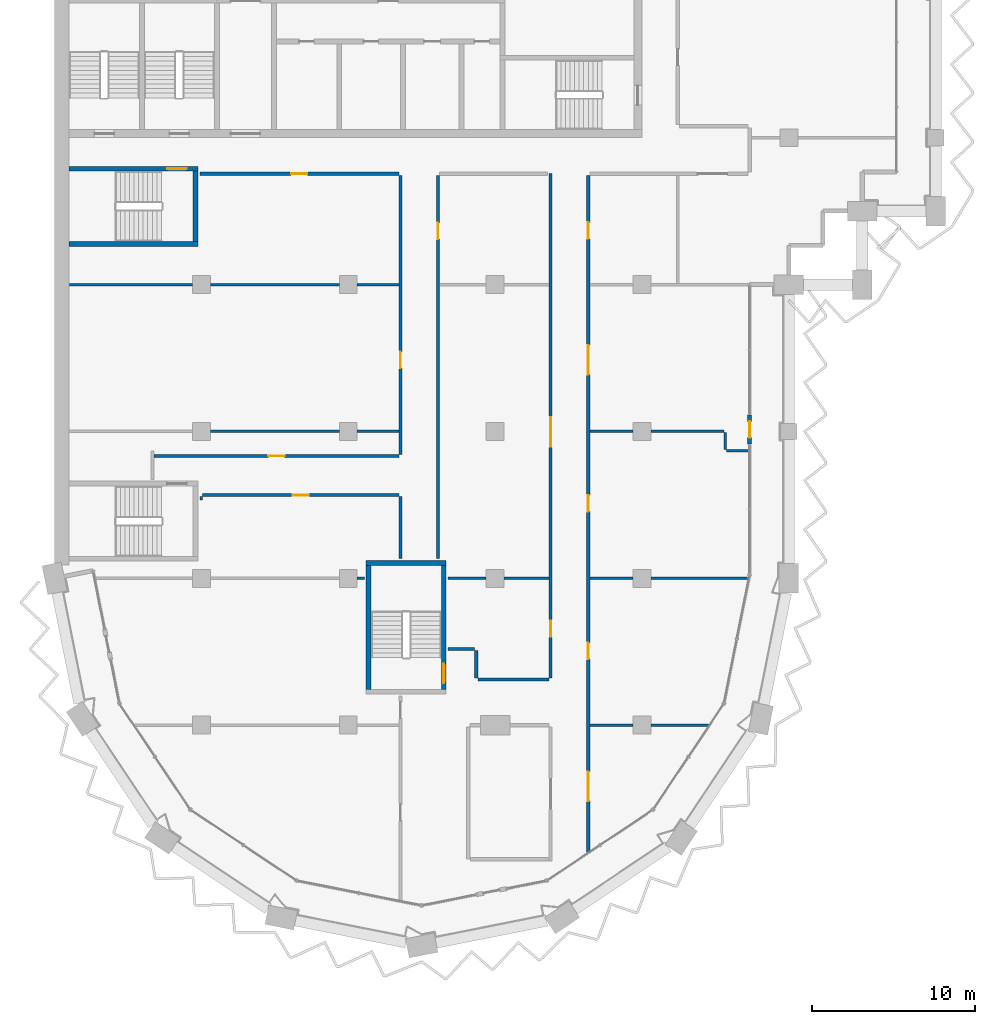
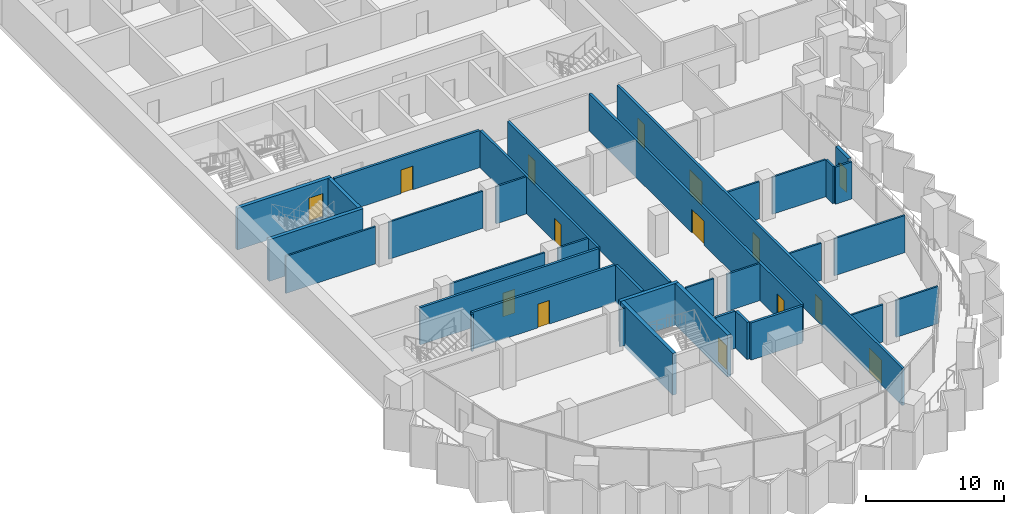
# One storey, part 8 of 17: 35 walls, 15 doors, 15 openings.
"""IFC4 building model written with IfcOpenShell, lengths in metres."""

import ifcopenshell
import ifcopenshell.guid

model = None  # the IFC model being written
_history = None  # IfcOwnerHistory: only IFC2X3 demands one
_inside = {}  # id of a spatial element -> (the spatial element, [elements in it])
_under = {}  # id of a project, library or spatial element -> (it, [spatial elements below it])
_declared = {}  # id of a project -> (the project, [libraries it declares])
_typed = {}  # id of a type object -> (the type object, [elements of that type])
_made_of = {}  # id of a material, layer set ... -> (it, [elements and type objects made of it])


def new_model(schema):
    """Start an empty IFC model of exactly this schema.

    Asked for "IFC4X3", IfcOpenShell would pick the latest addendum, in which some entities
    have other attributes; the version numbers below select the first issue.
    IFC2X3 requires an IfcOwnerHistory on every rooted entity: one is made here for all.
    """
    global model, _history
    if schema == "IFC4X3":
        model = ifcopenshell.file(schema_version=(4, 3, 0, 0))
    else:
        model = ifcopenshell.file(schema=schema)
    _inside.clear()
    _under.clear()
    _declared.clear()
    _typed.clear()
    _made_of.clear()
    _history = None
    if model.schema == "IFC2X3":
        org = make("IfcOrganization", Name="unknown")
        user = make(
            "IfcPersonAndOrganization",
            ThePerson=make("IfcPerson", FamilyName="unknown"),
            TheOrganization=org,
        )
        app = make(
            "IfcApplication",
            ApplicationDeveloper=org,
            Version="unknown",
            ApplicationFullName="unknown",
            ApplicationIdentifier="unknown",
        )
        _history = make(
            "IfcOwnerHistory",
            OwningUser=user,
            OwningApplication=app,
            ChangeAction="ADDED",
            CreationDate=0,
        )
    return model


def make(cls, **values):
    """One entity of the class cls with the attributes given. An attribute that is None is left unset."""
    return model.create_entity(
        cls, **{name: value for name, value in values.items() if value is not None}
    )


def rooted(cls, **values):
    """An entity with a GlobalId (a new one), such as an element, a storey or a relation."""
    return make(cls, GlobalId=ifcopenshell.guid.new(), OwnerHistory=_history, **values)


def si_unit(unit_type, name, prefix=None):
    """IfcSIUnit, for example si_unit("LENGTHUNIT", "METRE", prefix="MILLI")."""
    return make("IfcSIUnit", UnitType=unit_type, Prefix=prefix, Name=name)


def assignment(units):
    """IfcUnitAssignment: the units of a project."""
    return None if units is None else make("IfcUnitAssignment", Units=units)


def point(xyz):
    """IfcCartesianPoint."""
    return None if xyz is None else make("IfcCartesianPoint", Coordinates=xyz)


def direction(xyz):
    """IfcDirection."""
    return None if xyz is None else make("IfcDirection", DirectionRatios=xyz)


def frame(location, z_axis=None, x_axis=None):
    """IfcAxis2Placement3D, a coordinate frame: its origin and axes. An axis left out is left unset."""
    return make(
        "IfcAxis2Placement3D",
        Location=point(location),
        Axis=direction(z_axis),
        RefDirection=direction(x_axis),
    )


def frame_2d(location, x_axis=None):
    """IfcAxis2Placement2D, a coordinate frame in the plane: its origin and x axis."""
    return make(
        "IfcAxis2Placement2D", Location=point(location), RefDirection=direction(x_axis)
    )


def origin():
    """The frame at (0, 0, 0) with its axes left unset."""
    return frame((0.0, 0.0, 0.0))


def place(relative_to, where):
    """IfcLocalPlacement: puts the frame where relative to a parent placement (None: the world)."""
    return make(
        "IfcLocalPlacement", PlacementRelTo=relative_to, RelativePlacement=where
    )


def context(
    kind, dimensions, precision=None, world=None, true_north=None, identifier=None
):
    """IfcGeometricRepresentationContext, for example the 3D "Model" context."""
    return make(
        "IfcGeometricRepresentationContext",
        ContextIdentifier=identifier,
        ContextType=kind,
        CoordinateSpaceDimension=dimensions,
        Precision=precision,
        WorldCoordinateSystem=world,
        TrueNorth=true_north,
    )


def subcontext(parent, identifier, kind, view, scale=None):
    """IfcGeometricRepresentationSubContext, for example "Body" below "Model"."""
    return make(
        "IfcGeometricRepresentationSubContext",
        ContextIdentifier=identifier,
        ContextType=kind,
        ParentContext=parent,
        TargetScale=scale,
        TargetView=view,
    )


def project(units=None, contexts=None):
    """IfcProject with its units and contexts."""
    return rooted(
        "IfcProject",
        Name="project",
        RepresentationContexts=contexts,
        UnitsInContext=assignment(units),
    )


def spatial(cls, under=None, at=None, **own):
    """A site, building, storey or space (cls), placed at a placement, below another one or the project."""
    s = rooted(cls, ObjectPlacement=at, **own)
    if under is not None:
        _under.setdefault(under.id(), (under, []))[1].append(s)
    return s


def profile(cls, at=None, kind="AREA", **sizes):
    """A parametric profile (cls). Its sizes go by their IFC names, for example OverallWidth=200.0."""
    return make(cls, ProfileType=kind, Position=at, **sizes)


def rectangle(**sizes):
    """IfcRectangleProfileDef."""
    return profile("IfcRectangleProfileDef", **sizes)


def extrude(swept, where, along, depth):
    """IfcExtrudedAreaSolid: the profile swept, set in the frame where, extruded along a direction by depth."""
    return make(
        "IfcExtrudedAreaSolid",
        SweptArea=swept,
        Position=where,
        ExtrudedDirection=direction(along),
        Depth=depth,
    )


def shape(context_of_items, identifier, shape_type, items):
    """IfcShapeRepresentation: the items that make up one representation, for example the "Body"."""
    return make(
        "IfcShapeRepresentation",
        ContextOfItems=context_of_items,
        RepresentationIdentifier=identifier,
        RepresentationType=shape_type,
        Items=items,
    )


def material(Name=None, Category=None):
    """IfcMaterial."""
    return make("IfcMaterial", Name=Name, Category=Category)


def layer(
    of_material, thickness, ventilated=None, Name=None, Category=None, Priority=None
):
    """IfcMaterialLayer: one layer of a wall or slab, of a material (None: an air gap)."""
    return make(
        "IfcMaterialLayer",
        Material=of_material,
        LayerThickness=thickness,
        IsVentilated=ventilated,
        Name=Name,
        Category=Category,
        Priority=Priority,
    )


def layer_set(layers, Name=None):
    """IfcMaterialLayerSet."""
    return make("IfcMaterialLayerSet", MaterialLayers=layers, LayerSetName=Name)


def made_of(thing, what):
    """Note that an element or type object is made of a material, layer set ...; save() writes the relation."""
    if what is not None:
        _made_of.setdefault(what.id(), (what, []))[1].append(thing)
    return thing


def type_object(cls, material=None, **own):
    """A type object (cls), such as IfcWallType, which elements share."""
    return made_of(rooted(cls, **own), material)


def element(
    cls,
    number,
    at=None,
    inside=None,
    cuts=None,
    type_object=None,
    material=None,
    context=None,
    identifier="Body",
    shape_type=None,
    held_by="IfcProductDefinitionShape",
    body=None,
    shapes=None,
    **own,
):
    """One element of the class cls, such as IfcWall. Its Tag is "e" and its number.

    at: its placement. inside: the storey or other place that contains it. cuts: it is an
    opening in that element (IfcRelVoidsElement). A single representation is given by context,
    identifier, shape_type and body (its items); several are given by shapes. held_by: the class
    of the entity that holds the representations. save() writes the other relations.
    """
    e = rooted(cls, Tag="e%d" % number, ObjectPlacement=at, **own)
    if body is not None:
        shapes = [shape(context, identifier, shape_type, body)]
    if shapes is not None:
        e.Representation = make(held_by, Representations=shapes)
    if inside is not None:
        _inside.setdefault(inside.id(), (inside, []))[1].append(e)
    if cuts is not None:
        rooted(
            "IfcRelVoidsElement", RelatingBuildingElement=cuts, RelatedOpeningElement=e
        )
    if type_object is not None:
        _typed.setdefault(type_object.id(), (type_object, []))[1].append(e)
    return made_of(e, material)


def fill(opening, filler):
    """IfcRelFillsElement: the door or window that sits in an opening."""
    return rooted(
        "IfcRelFillsElement",
        RelatingOpeningElement=opening,
        RelatedBuildingElement=filler,
    )


def aggregate(whole, parts):
    """IfcRelAggregates: a whole, such as a stair, and the parts it consists of."""
    return rooted("IfcRelAggregates", RelatingObject=whole, RelatedObjects=parts)


def save(model, path):
    """Write the relations noted so far, then the file.

    IfcRelAggregates (storeys below a building ...), IfcRelContainedInSpatialStructure (elements
    in a storey), IfcRelDefinesByType, IfcRelAssociatesMaterial and IfcRelDeclares: one each for
    every whole, place, type object, material and project.
    """
    for whole, parts in _under.values():
        aggregate(whole, parts)
    for where, things in _inside.values():
        rooted(
            "IfcRelContainedInSpatialStructure",
            RelatedElements=things,
            RelatingStructure=where,
        )
    for kind, things in _typed.values():
        rooted("IfcRelDefinesByType", RelatedObjects=things, RelatingType=kind)
    for what, things in _made_of.values():
        rooted("IfcRelAssociatesMaterial", RelatedObjects=things, RelatingMaterial=what)
    for by, libraries in _declared.values():
        rooted("IfcRelDeclares", RelatingContext=by, RelatedDefinitions=libraries)
    model.write(path)


model = new_model("IFC4")

# Units and contexts
model_context = context("Model", 3, precision=1e-05, world=origin(), true_north=direction((0.0, 1.0)))
body_context = subcontext(model_context, "Body", "Model", "MODEL_VIEW")
ifc_project = project(units=[si_unit("LENGTHUNIT", "METRE"), si_unit("AREAUNIT", "SQUARE_METRE"), si_unit("VOLUMEUNIT", "CUBIC_METRE"), si_unit("PLANEANGLEUNIT", "RADIAN"), si_unit("MASSUNIT", "GRAM", prefix="KILO")], contexts=[model_context])

# Site, building, storey
site_placement = place(None, origin())
site = spatial("IfcSite", under=ifc_project, at=site_placement, CompositionType="ELEMENT")
building_placement = place(site_placement, origin())
building = spatial("IfcBuilding", under=site, at=building_placement, Name="Hunhe Ridgeline Campus", CompositionType="ELEMENT")
storey_placement = place(building_placement, frame((0.0, 0.0, 212.39990234375)))
storey = spatial("IfcBuildingStorey", under=building, at=storey_placement, Name="L54", CompositionType="ELEMENT", Elevation=212.39990234375)

# Walls
ifc_material_1 = material(Name="Gypsum board partition")
ifc_layer_1 = layer(ifc_material_1, 0.199951171875)
ifc_layer_set_1 = layer_set([ifc_layer_1], Name="Corridor partition 200 gypsum board on steel studs")
wall_type_1 = type_object("IfcWallType", Name="Corridor partition 200 gypsum board on steel studs", PredefinedType="PARTITIONING", material=ifc_layer_set_1)
wall_1_placement = place(storey_placement, frame((25.949951171875, 29.799072265625, 0.0), z_axis=(0.0, 0.0, 1.0), x_axis=(1.0, 0.0, 0.0)))
element("IfcWall", 1, at=wall_1_placement, inside=storey, type_object=wall_type_1, Name="F-L54-wall-009", PredefinedType="PARTITIONING", context=body_context, shape_type="SweptSolid", body=[
    extrude(rectangle(XDim=4.35009765625, YDim=0.199951171875, at=frame_2d((2.175048828125, 0.0))), origin(), (0.0, 0.0, 1.0), 3.300048828125),
])
wall_2_placement = place(storey_placement, frame((24.10400390625, 31.675048828125, 0.0), z_axis=(0.0, 0.0, 1.0), x_axis=(1.0, 0.0, 0.0)))
element("IfcWall", 2, at=wall_2_placement, inside=storey, type_object=wall_type_1, Name="F-L54-wall-010", PredefinedType="PARTITIONING", context=body_context, shape_type="SweptSolid", body=[
    extrude(rectangle(XDim=1.64599609375, YDim=0.199951171875, at=frame_2d((0.822998046875, 0.0))), origin(), (0.0, 0.0, 1.0), 3.300048828125),
])

# Wall, opening, door
wall_3_placement = place(storey_placement, frame((21.10009765625, 41.10009765625, 0.0), z_axis=(0.0, 0.0, 1.0), x_axis=(-1.0, 0.0, 0.0)))
wall_3 = element("IfcWall", 3, at=wall_3_placement, inside=storey, type_object=wall_type_1, Name="F-L54-wall-018", PredefinedType="PARTITIONING", context=body_context, shape_type="SweptSolid", body=[
    extrude(rectangle(XDim=12.025146484375, YDim=0.199951171875, at=frame_2d((6.0126953125, 0.0))), origin(), (0.0, 0.0, 1.0), 3.300048828125),
])
opening_1_placement = place(wall_3_placement, frame((5.512451171875, 0.0, 0.0)))
opening_1 = element("IfcOpeningElement", 4, at=opening_1_placement, cuts=wall_3, Name="Opening RD1-008", PredefinedType="OPENING", context=body_context, shape_type="SweptSolid", body=[
    extrude(rectangle(XDim=1.0, YDim=2.10009765625, at=frame_2d((0.5, 1.050048828125))), frame((0.0, 0.10009765625, 0.0), z_axis=(0.0, -1.0, 0.0), x_axis=(1.0, 0.0, 0.0)), (0.0, 0.0, 1.0), 0.199951171875),
])
ifc_material_2 = material(Name="Timber door leaf", Category="wood")
door_type_1 = type_object("IfcDoorType", Name="Single fire door 1000x2100 timber FD60", OperationType="NOTDEFINED", PredefinedType="DOOR", material=ifc_material_2)
door_1_placement = place(opening_1_placement, origin())
door_1 = element("IfcDoor", 5, at=door_1_placement, inside=storey, type_object=door_type_1, Name="F-L54-door-008", OperationType="SINGLE_SWING_LEFT", OverallHeight=2.10009765625, OverallWidth=1.0, PredefinedType="DOOR", context=body_context, shape_type="SweptSolid", body=[
    extrude(rectangle(XDim=1.0, YDim=2.10009765625, at=frame_2d((0.5, 1.050048828125))), frame((0.0, 0.02490234375, 0.0), z_axis=(0.0, -1.0, 0.0), x_axis=(1.0, 0.0, 0.0)), (0.0, 0.0, 1.0), 0.050048828125),
])
fill(opening_1, door_1)

wall_4_placement = place(storey_placement, frame((6.10009765625, 43.5, 0.0), z_axis=(0.0, 0.0, 1.0), x_axis=(1.0, 0.0, 0.0)))
wall_4 = element("IfcWall", 6, at=wall_4_placement, inside=storey, type_object=wall_type_1, Name="F-L54-wall-019", PredefinedType="PARTITIONING", context=body_context, shape_type="SweptSolid", body=[
    extrude(rectangle(XDim=15.0, YDim=0.199951171875, at=frame_2d((7.5, 0.0))), origin(), (0.0, 0.0, 1.0), 3.300048828125),
])
opening_2_placement = place(wall_4_placement, frame((7.0, 0.0, 0.0)))
opening_2 = element("IfcOpeningElement", 7, at=opening_2_placement, cuts=wall_4, Name="Opening RD1-009", PredefinedType="OPENING", context=body_context, shape_type="SweptSolid", body=[
    extrude(rectangle(XDim=1.0, YDim=2.10009765625, at=frame_2d((0.5, 1.050048828125))), frame((0.0, 0.10009765625, 0.0), z_axis=(0.0, -1.0, 0.0), x_axis=(1.0, 0.0, 0.0)), (0.0, 0.0, 1.0), 0.199951171875),
])
door_2_placement = place(opening_2_placement, origin())
door_2 = element("IfcDoor", 8, at=door_2_placement, inside=storey, type_object=door_type_1, Name="F-L54-door-009", OperationType="SINGLE_SWING_RIGHT", OverallHeight=2.10009765625, OverallWidth=1.0, PredefinedType="DOOR", context=body_context, shape_type="SweptSolid", body=[
    extrude(rectangle(XDim=1.0, YDim=2.10009765625, at=frame_2d((0.5, 1.050048828125))), frame((0.0, 0.02490234375, 0.0), z_axis=(0.0, -1.0, 0.0), x_axis=(1.0, 0.0, 0.0)), (0.0, 0.0, 1.0), 0.050048828125),
])
fill(opening_2, door_2)

wall_5_placement = place(storey_placement, frame((21.10009765625, 60.800048828125, 0.0), z_axis=(0.0, 0.0, 1.0), x_axis=(-1.0, 0.0, 0.0)))
wall_5 = element("IfcWall", 9, at=wall_5_placement, inside=storey, type_object=wall_type_1, Name="F-L54-wall-033", PredefinedType="PARTITIONING", context=body_context, shape_type="SweptSolid", body=[
    extrude(rectangle(XDim=12.196044921875, YDim=0.199951171875, at=frame_2d((6.09814453125, 0.0))), origin(), (0.0, 0.0, 1.0), 3.300048828125),
])
opening_3_placement = place(wall_5_placement, frame((5.597900390625, 0.0, 0.0)))
opening_3 = element("IfcOpeningElement", 10, at=opening_3_placement, cuts=wall_5, Name="Opening RD1-015", PredefinedType="OPENING", context=body_context, shape_type="SweptSolid", body=[
    extrude(rectangle(XDim=1.0, YDim=2.10009765625, at=frame_2d((0.5, 1.050048828125))), frame((0.0, 0.10009765625, 0.0), z_axis=(0.0, -1.0, 0.0), x_axis=(1.0, 0.0, 0.0)), (0.0, 0.0, 1.0), 0.199951171875),
])
door_3_placement = place(opening_3_placement, origin())
door_3 = element("IfcDoor", 11, at=door_3_placement, inside=storey, type_object=door_type_1, Name="F-L54-door-015", OperationType="SINGLE_SWING_LEFT", OverallHeight=2.10009765625, OverallWidth=1.0, PredefinedType="DOOR", context=body_context, shape_type="SweptSolid", body=[
    extrude(rectangle(XDim=1.0, YDim=2.10009765625, at=frame_2d((0.5, 1.050048828125))), frame((0.0, 0.02490234375, 0.0), z_axis=(0.0, -1.0, 0.0), x_axis=(1.0, 0.0, 0.0)), (0.0, 0.0, 1.0), 0.050048828125),
])
fill(opening_3, door_3)

# Wall
wall_6_placement = place(storey_placement, frame((21.199951171875, 37.2041015625, 0.0), z_axis=(0.0, 0.0, 1.0), x_axis=(0.0, 1.0, 0.0)))
element("IfcWall", 12, at=wall_6_placement, inside=storey, type_object=wall_type_1, Name="F-L54-wall-048", PredefinedType="PARTITIONING", context=body_context, shape_type="SweptSolid", body=[
    extrude(rectangle(XDim=3.7958984375, YDim=0.199951171875, at=frame_2d((1.89794921875, 0.0))), origin(), (0.0, 0.0, 1.0), 3.300048828125),
])

# Wall, opening, door
wall_7_placement = place(storey_placement, frame((21.199951171875, 43.60009765625, 0.0), z_axis=(0.0, 0.0, 1.0), x_axis=(0.0, 1.0, 0.0)))
wall_7 = element("IfcWall", 13, at=wall_7_placement, inside=storey, type_object=wall_type_1, Name="F-L54-wall-049", PredefinedType="PARTITIONING", context=body_context, shape_type="SweptSolid", body=[
    extrude(rectangle(XDim=17.099853515625, YDim=0.199951171875, at=frame_2d((8.5498046875, 0.0))), origin(), (0.0, 0.0, 1.0), 3.300048828125),
])
opening_4_placement = place(wall_7_placement, frame((5.28369140625, 0.0, 0.0)))
opening_4 = element("IfcOpeningElement", 14, at=opening_4_placement, cuts=wall_7, Name="Opening RD1-011", PredefinedType="OPENING", context=body_context, shape_type="SweptSolid", body=[
    extrude(rectangle(XDim=1.0, YDim=2.10009765625, at=frame_2d((0.5, 1.050048828125))), frame((0.0, 0.10009765625, 0.0), z_axis=(0.0, -1.0, 0.0), x_axis=(1.0, 0.0, 0.0)), (0.0, 0.0, 1.0), 0.199951171875),
])
door_4_placement = place(opening_4_placement, origin())
door_4 = element("IfcDoor", 15, at=door_4_placement, inside=storey, type_object=door_type_1, Name="F-L54-door-011", OperationType="SINGLE_SWING_RIGHT", OverallHeight=2.10009765625, OverallWidth=1.0, PredefinedType="DOOR", context=body_context, shape_type="SweptSolid", body=[
    extrude(rectangle(XDim=1.0, YDim=2.10009765625, at=frame_2d((0.5, 1.050048828125))), frame((0.0, 0.02490234375, 0.0), z_axis=(0.0, -1.0, 0.0), x_axis=(1.0, 0.0, 0.0)), (0.0, 0.0, 1.0), 0.050048828125),
])
fill(opening_4, door_4)

wall_8_placement = place(storey_placement, frame((23.5, 60.699951171875, 0.0), z_axis=(0.0, 0.0, 1.0), x_axis=(0.0, -1.0, 0.0)))
wall_8 = element("IfcWall", 16, at=wall_8_placement, inside=storey, type_object=wall_type_1, Name="F-L54-wall-050", PredefinedType="PARTITIONING", context=body_context, shape_type="SweptSolid", body=[
    extrude(rectangle(XDim=23.495849609375, YDim=0.199951171875, at=frame_2d((11.748046875, 0.0))), origin(), (0.0, 0.0, 1.0), 3.300048828125),
])
opening_5_placement = place(wall_8_placement, frame((2.91064453125, 0.0, 0.0)))
opening_5 = element("IfcOpeningElement", 17, at=opening_5_placement, cuts=wall_8, Name="Opening RD1-013", PredefinedType="OPENING", context=body_context, shape_type="SweptSolid", body=[
    extrude(rectangle(XDim=1.0, YDim=2.10009765625, at=frame_2d((0.5, 1.050048828125))), frame((0.0, 0.10009765625, 0.0), z_axis=(0.0, -1.0, 0.0), x_axis=(1.0, 0.0, 0.0)), (0.0, 0.0, 1.0), 0.199951171875),
])
door_5_placement = place(opening_5_placement, origin())
door_5 = element("IfcDoor", 18, at=door_5_placement, inside=storey, type_object=door_type_1, Name="F-L54-door-013", OperationType="SINGLE_SWING_LEFT", OverallHeight=2.10009765625, OverallWidth=1.0, PredefinedType="DOOR", context=body_context, shape_type="SweptSolid", body=[
    extrude(rectangle(XDim=1.0, YDim=2.10009765625, at=frame_2d((0.5, 1.050048828125))), frame((0.0, 0.02490234375, 0.0), z_axis=(0.0, -1.0, 0.0), x_axis=(1.0, 0.0, 0.0)), (0.0, 0.0, 1.0), 0.050048828125),
])
fill(opening_5, door_5)

# Wall
wall_9_placement = place(storey_placement, frame((25.85009765625, 31.574951171875, 0.0), z_axis=(0.0, 0.0, 1.0), x_axis=(0.0, -1.0, 0.0)))
element("IfcWall", 19, at=wall_9_placement, inside=storey, type_object=wall_type_1, Name="F-L54-wall-052", PredefinedType="PARTITIONING", context=body_context, shape_type="SweptSolid", body=[
    extrude(rectangle(XDim=1.676025390625, YDim=0.199951171875, at=frame_2d((0.837890625, 0.0))), origin(), (0.0, 0.0, 1.0), 3.300048828125),
])

# Wall, openings, doors
wall_10_placement = place(storey_placement, frame((30.39990234375, 29.89892578125, 0.0), z_axis=(0.0, 0.0, 1.0), x_axis=(0.0, 1.0, 0.0)))
wall_10 = element("IfcWall", 20, at=wall_10_placement, inside=storey, type_object=wall_type_1, Name="F-L54-wall-054", PredefinedType="PARTITIONING", context=body_context, shape_type="SweptSolid", body=[
    extrude(rectangle(XDim=30.901123046875, YDim=0.199951171875, at=frame_2d((15.45068359375, 0.0))), origin(), (0.0, 0.0, 1.0), 3.300048828125),
])
opening_6_placement = place(wall_10_placement, frame((2.5146484375, 0.0, 0.0)))
opening_6 = element("IfcOpeningElement", 21, at=opening_6_placement, cuts=wall_10, Name="Opening RD1-006", PredefinedType="OPENING", context=body_context, shape_type="SweptSolid", body=[
    extrude(rectangle(XDim=1.0, YDim=2.10009765625, at=frame_2d((0.5, 1.050048828125))), frame((0.0, 0.10009765625, 0.0), z_axis=(0.0, -1.0, 0.0), x_axis=(1.0, 0.0, 0.0)), (0.0, 0.0, 1.0), 0.199951171875),
])
opening_7_placement = place(wall_10_placement, frame((14.173583984375, 0.0, 0.0)))
opening_7 = element("IfcOpeningElement", 22, at=opening_7_placement, cuts=wall_10, Name="Opening RD2-010", PredefinedType="OPENING", context=body_context, shape_type="SweptSolid", body=[
    extrude(rectangle(XDim=1.800048828125, YDim=2.10009765625, at=frame_2d((0.89990234375, 1.050048828125))), frame((0.0, 0.10009765625, 0.0), z_axis=(0.0, -1.0, 0.0), x_axis=(1.0, 0.0, 0.0)), (0.0, 0.0, 1.0), 0.199951171875),
])
door_type_2 = type_object("IfcDoorType", Name="Double fire door 1800x2100 timber FD60", OperationType="DOUBLE_DOOR_SINGLE_SWING", PredefinedType="DOOR", material=ifc_material_2)
door_6_placement = place(opening_7_placement, origin())
door_6 = element("IfcDoor", 23, at=door_6_placement, inside=storey, type_object=door_type_2, Name="F-L54-door-010", OperationType="DOUBLE_DOOR_SINGLE_SWING", OverallHeight=2.10009765625, OverallWidth=1.800048828125, PredefinedType="DOOR", context=body_context, shape_type="SweptSolid", body=[
    extrude(rectangle(XDim=1.800048828125, YDim=2.10009765625, at=frame_2d((0.89990234375, 1.050048828125))), frame((0.0, 0.02490234375, 0.0), z_axis=(0.0, -1.0, 0.0), x_axis=(1.0, 0.0, 0.0)), (0.0, 0.0, 1.0), 0.050048828125),
])
fill(opening_7, door_6)
door_7_placement = place(opening_6_placement, origin())
door_7 = element("IfcDoor", 24, at=door_7_placement, inside=storey, type_object=door_type_1, Name="F-L54-door-006", OperationType="SINGLE_SWING_RIGHT", OverallHeight=2.10009765625, OverallWidth=1.0, PredefinedType="DOOR", context=body_context, shape_type="SweptSolid", body=[
    extrude(rectangle(XDim=1.0, YDim=2.10009765625, at=frame_2d((0.5, 1.050048828125))), frame((0.0, 0.02490234375, 0.0), z_axis=(0.0, -1.0, 0.0), x_axis=(1.0, 0.0, 0.0)), (0.0, 0.0, 1.0), 0.050048828125),
])
fill(opening_6, door_7)

wall_11_placement = place(storey_placement, frame((32.699951171875, 60.699951171875, 0.0), z_axis=(0.0, 0.0, 1.0), x_axis=(0.0, -1.0, 0.0)))
wall_11 = element("IfcWall", 25, at=wall_11_placement, inside=storey, type_object=wall_type_1, Name="F-L54-wall-055", PredefinedType="PARTITIONING", context=body_context, shape_type="SweptSolid", body=[
    extrude(rectangle(XDim=41.472412109375, YDim=0.199951171875, at=frame_2d((20.736328125, 0.0))), origin(), (0.0, 0.0, 1.0), 3.300048828125),
])
opening_8_placement = place(wall_11_placement, frame((36.551025390625, 0.0, 0.0)))
opening_8 = element("IfcOpeningElement", 26, at=opening_8_placement, cuts=wall_11, Name="Opening RD2-003", PredefinedType="OPENING", context=body_context, shape_type="SweptSolid", body=[
    extrude(rectangle(XDim=1.800048828125, YDim=2.10009765625, at=frame_2d((0.89990234375, 1.050048828125))), frame((0.0, 0.10009765625, 0.0), z_axis=(0.0, -1.0, 0.0), x_axis=(1.0, 0.0, 0.0)), (0.0, 0.0, 1.0), 0.199951171875),
])
opening_9_placement = place(wall_11_placement, frame((28.656494140625, 0.0, 0.0)))
opening_9 = element("IfcOpeningElement", 27, at=opening_9_placement, cuts=wall_11, Name="Opening RD1-005", PredefinedType="OPENING", context=body_context, shape_type="SweptSolid", body=[
    extrude(rectangle(XDim=1.0, YDim=2.10009765625, at=frame_2d((0.5, 1.050048828125))), frame((0.0, 0.10009765625, 0.0), z_axis=(0.0, -1.0, 0.0), x_axis=(1.0, 0.0, 0.0)), (0.0, 0.0, 1.0), 0.199951171875),
])
opening_10_placement = place(wall_11_placement, frame((19.60791015625, 0.0, 0.0)))
opening_10 = element("IfcOpeningElement", 28, at=opening_10_placement, cuts=wall_11, Name="Opening RD1-007", PredefinedType="OPENING", context=body_context, shape_type="SweptSolid", body=[
    extrude(rectangle(XDim=1.0, YDim=2.10009765625, at=frame_2d((0.5, 1.050048828125))), frame((0.0, 0.10009765625, 0.0), z_axis=(0.0, -1.0, 0.0), x_axis=(1.0, 0.0, 0.0)), (0.0, 0.0, 1.0), 0.199951171875),
])
opening_11_placement = place(wall_11_placement, frame((10.41064453125, 0.0, 0.0)))
opening_11 = element("IfcOpeningElement", 29, at=opening_11_placement, cuts=wall_11, Name="Opening RD2-012", PredefinedType="OPENING", context=body_context, shape_type="SweptSolid", body=[
    extrude(rectangle(XDim=1.800048828125, YDim=2.10009765625, at=frame_2d((0.89990234375, 1.050048828125))), frame((0.0, 0.10009765625, 0.0), z_axis=(0.0, -1.0, 0.0), x_axis=(1.0, 0.0, 0.0)), (0.0, 0.0, 1.0), 0.199951171875),
])
opening_12_placement = place(wall_11_placement, frame((2.893310546875, 0.0, 0.0)))
opening_12 = element("IfcOpeningElement", 30, at=opening_12_placement, cuts=wall_11, Name="Opening RD1-014", PredefinedType="OPENING", context=body_context, shape_type="SweptSolid", body=[
    extrude(rectangle(XDim=1.0, YDim=2.10009765625, at=frame_2d((0.5, 1.050048828125))), frame((0.0, 0.10009765625, 0.0), z_axis=(0.0, -1.0, 0.0), x_axis=(1.0, 0.0, 0.0)), (0.0, 0.0, 1.0), 0.199951171875),
])
door_8_placement = place(opening_8_placement, origin())
door_8 = element("IfcDoor", 31, at=door_8_placement, inside=storey, type_object=door_type_2, Name="F-L54-door-003", OperationType="DOUBLE_DOOR_SINGLE_SWING", OverallHeight=2.10009765625, OverallWidth=1.800048828125, PredefinedType="DOOR", context=body_context, shape_type="SweptSolid", body=[
    extrude(rectangle(XDim=1.800048828125, YDim=2.10009765625, at=frame_2d((0.89990234375, 1.050048828125))), frame((0.0, 0.02490234375, 0.0), z_axis=(0.0, -1.0, 0.0), x_axis=(1.0, 0.0, 0.0)), (0.0, 0.0, 1.0), 0.050048828125),
])
fill(opening_8, door_8)
door_9_placement = place(opening_11_placement, origin())
door_9 = element("IfcDoor", 32, at=door_9_placement, inside=storey, type_object=door_type_2, Name="F-L54-door-012", OperationType="DOUBLE_DOOR_SINGLE_SWING", OverallHeight=2.10009765625, OverallWidth=1.800048828125, PredefinedType="DOOR", context=body_context, shape_type="SweptSolid", body=[
    extrude(rectangle(XDim=1.800048828125, YDim=2.10009765625, at=frame_2d((0.89990234375, 1.050048828125))), frame((0.0, 0.02490234375, 0.0), z_axis=(0.0, -1.0, 0.0), x_axis=(1.0, 0.0, 0.0)), (0.0, 0.0, 1.0), 0.050048828125),
])
fill(opening_11, door_9)
door_10_placement = place(opening_9_placement, origin())
door_10 = element("IfcDoor", 33, at=door_10_placement, inside=storey, type_object=door_type_1, Name="F-L54-door-005", OperationType="SINGLE_SWING_LEFT", OverallHeight=2.10009765625, OverallWidth=1.0, PredefinedType="DOOR", context=body_context, shape_type="SweptSolid", body=[
    extrude(rectangle(XDim=1.0, YDim=2.10009765625, at=frame_2d((0.5, 1.050048828125))), frame((0.0, 0.02490234375, 0.0), z_axis=(0.0, -1.0, 0.0), x_axis=(1.0, 0.0, 0.0)), (0.0, 0.0, 1.0), 0.050048828125),
])
fill(opening_9, door_10)
door_11_placement = place(opening_10_placement, origin())
door_11 = element("IfcDoor", 34, at=door_11_placement, inside=storey, type_object=door_type_1, Name="F-L54-door-007", OperationType="SINGLE_SWING_LEFT", OverallHeight=2.10009765625, OverallWidth=1.0, PredefinedType="DOOR", context=body_context, shape_type="SweptSolid", body=[
    extrude(rectangle(XDim=1.0, YDim=2.10009765625, at=frame_2d((0.5, 1.050048828125))), frame((0.0, 0.02490234375, 0.0), z_axis=(0.0, -1.0, 0.0), x_axis=(1.0, 0.0, 0.0)), (0.0, 0.0, 1.0), 0.050048828125),
])
fill(opening_10, door_11)
door_12_placement = place(opening_12_placement, origin())
door_12 = element("IfcDoor", 35, at=door_12_placement, inside=storey, type_object=door_type_1, Name="F-L54-door-014", OperationType="SINGLE_SWING_RIGHT", OverallHeight=2.10009765625, OverallWidth=1.0, PredefinedType="DOOR", context=body_context, shape_type="SweptSolid", body=[
    extrude(rectangle(XDim=1.0, YDim=2.10009765625, at=frame_2d((0.5, 1.050048828125))), frame((0.0, 0.02490234375, 0.0), z_axis=(0.0, -1.0, 0.0), x_axis=(1.0, 0.0, 0.0)), (0.0, 0.0, 1.0), 0.050048828125),
])
fill(opening_12, door_12)

# Wall, opening, door
ifc_material_3 = material(Name="Concrete C30", Category="concrete")
ifc_layer_2 = layer(ifc_material_3, 0.25)
ifc_layer_set_2 = layer_set([ifc_layer_2], Name="Loggia door pier wall 250 Concrete C30")
wall_type_2 = type_object("IfcWallType", Name="Loggia door pier wall 250 Concrete C30", PredefinedType="SOLIDWALL", material=ifc_layer_set_2)
wall_12_placement = place(storey_placement, frame((42.59912109375, 44.218505859375, 0.0), z_axis=(0.0, 0.0, 1.0), x_axis=(0.0, 1.0, 0.0)))
wall_12 = element("IfcWall", 36, at=wall_12_placement, inside=storey, type_object=wall_type_2, Name="Loggia door pier 3", PredefinedType="SOLIDWALL", context=body_context, shape_type="SweptSolid", body=[
    extrude(rectangle(XDim=1.800048828125, YDim=0.25, at=frame_2d((0.89990234375, 0.0))), origin(), (0.0, 0.0, 1.0), 3.300048828125),
])
opening_13_placement = place(wall_12_placement, frame((0.39990234375, 0.0, 0.0)))
opening_13 = element("IfcOpeningElement", 37, at=opening_13_placement, cuts=wall_12, Name="Opening BD405", PredefinedType="OPENING", context=body_context, shape_type="SweptSolid", body=[
    extrude(rectangle(XDim=1.0, YDim=2.10009765625, at=frame_2d((0.5, 1.050048828125))), frame((0.0, 0.125, 0.0), z_axis=(0.0, -1.0, 0.0), x_axis=(1.0, 0.0, 0.0)), (0.0, 0.0, 1.0), 0.25),
])
ifc_material_4 = material(Name="Aluminium 6063", Category="aluminium")
door_type_3 = type_object("IfcDoorType", Name="Loggia glazed door 1000x2100", OperationType="NOTDEFINED", PredefinedType="DOOR", material=ifc_material_4)
door_13_placement = place(opening_13_placement, frame((1.0, 0.0, 0.0), z_axis=(0.0, 0.0, 1.0), x_axis=(-1.0, 0.0, 0.0)))
door_13 = element("IfcDoor", 38, at=door_13_placement, inside=storey, type_object=door_type_3, Name="Loggia door BD405", OperationType="SINGLE_SWING_RIGHT", OverallHeight=2.10009765625, OverallWidth=1.0, PredefinedType="DOOR", context=body_context, shape_type="SweptSolid", body=[
    extrude(rectangle(XDim=1.0, YDim=2.10009765625, at=frame_2d((0.5, 1.050048828125))), frame((0.0, 0.02490234375, 0.0), z_axis=(0.0, -1.0, 0.0), x_axis=(1.0, 0.0, 0.0)), (0.0, 0.0, 1.0), 0.050048828125),
])
fill(opening_13, door_13)

# Walls
ifc_layer_3 = layer(ifc_material_1, 0.14990234375)
ifc_layer_set_3 = layer_set([ifc_layer_3], Name="Room partition 150 gypsum board on steel studs")
wall_type_3 = type_object("IfcWallType", Name="Room partition 150 gypsum board on steel studs", PredefinedType="PARTITIONING", material=ifc_layer_set_3)
wall_13_placement = place(storey_placement, frame((32.800048828125, 27.0, 0.0), z_axis=(0.0, 0.0, 1.0), x_axis=(1.0, 0.0, 0.0)))
element("IfcWall", 39, at=wall_13_placement, inside=storey, type_object=wall_type_3, Name="F-L54-wall-007", PredefinedType="PARTITIONING", context=body_context, shape_type="SweptSolid", body=[
    extrude(rectangle(XDim=2.64990234375, YDim=0.14990234375, at=frame_2d((1.324951171875, 0.0))), origin(), (0.0, 0.0, 1.0), 3.300048828125),
])
wall_14_placement = place(storey_placement, frame((36.550048828125, 27.0, 0.0), z_axis=(0.0, 0.0, 1.0), x_axis=(1.0, 0.0, 0.0)))
element("IfcWall", 40, at=wall_14_placement, inside=storey, type_object=wall_type_3, Name="F-L54-wall-008", PredefinedType="PARTITIONING", context=body_context, shape_type="SweptSolid", body=[
    extrude(rectangle(XDim=3.5244140625, YDim=0.14990234375, at=frame_2d((1.76220703125, 0.0))), origin(), (0.0, 0.0, 1.0), 3.300048828125),
])
wall_15_placement = place(storey_placement, frame((18.550048828125, 36.0, 0.0), z_axis=(0.0, 0.0, 1.0), x_axis=(1.0, 0.0, 0.0)))
element("IfcWall", 41, at=wall_15_placement, inside=storey, type_object=wall_type_3, Name="F-L54-wall-013", PredefinedType="PARTITIONING", context=body_context, shape_type="SweptSolid", body=[
    extrude(rectangle(XDim=0.446044921875, YDim=0.14990234375, at=frame_2d((0.22314453125, 0.0))), origin(), (0.0, 0.0, 1.0), 3.300048828125),
])
wall_16_placement = place(storey_placement, frame((24.10400390625, 36.0, 0.0), z_axis=(0.0, 0.0, 1.0), x_axis=(1.0, 0.0, 0.0)))
element("IfcWall", 42, at=wall_16_placement, inside=storey, type_object=wall_type_3, Name="F-L54-wall-014", PredefinedType="PARTITIONING", context=body_context, shape_type="SweptSolid", body=[
    extrude(rectangle(XDim=2.345947265625, YDim=0.14990234375, at=frame_2d((1.1728515625, 0.0))), origin(), (0.0, 0.0, 1.0), 3.300048828125),
])
wall_17_placement = place(storey_placement, frame((27.550048828125, 36.0, 0.0), z_axis=(0.0, 0.0, 1.0), x_axis=(1.0, 0.0, 0.0)))
element("IfcWall", 43, at=wall_17_placement, inside=storey, type_object=wall_type_3, Name="F-L54-wall-015", PredefinedType="PARTITIONING", context=body_context, shape_type="SweptSolid", body=[
    extrude(rectangle(XDim=2.75, YDim=0.14990234375, at=frame_2d((1.375, 0.0))), origin(), (0.0, 0.0, 1.0), 3.300048828125),
])
wall_18_placement = place(storey_placement, frame((32.800048828125, 36.0, 0.0), z_axis=(0.0, 0.0, 1.0), x_axis=(1.0, 0.0, 0.0)))
element("IfcWall", 44, at=wall_18_placement, inside=storey, type_object=wall_type_3, Name="F-L54-wall-016", PredefinedType="PARTITIONING", context=body_context, shape_type="SweptSolid", body=[
    extrude(rectangle(XDim=2.64990234375, YDim=0.14990234375, at=frame_2d((1.324951171875, 0.0))), origin(), (0.0, 0.0, 1.0), 3.300048828125),
])
wall_19_placement = place(storey_placement, frame((36.550048828125, 36.0, 0.0), z_axis=(0.0, 0.0, 1.0), x_axis=(1.0, 0.0, 0.0)))
element("IfcWall", 45, at=wall_19_placement, inside=storey, type_object=wall_type_3, Name="F-L54-wall-017", PredefinedType="PARTITIONING", context=body_context, shape_type="SweptSolid", body=[
    extrude(rectangle(XDim=5.94677734375, YDim=0.14990234375, at=frame_2d((2.973388671875, 0.0))), origin(), (0.0, 0.0, 1.0), 3.300048828125),
])
wall_20_placement = place(storey_placement, frame((41.174072265625, 43.819091796875, 0.0), z_axis=(0.0, 0.0, 1.0), x_axis=(1.0, 0.0, 0.0)))
element("IfcWall", 46, at=wall_20_placement, inside=storey, type_object=wall_type_3, Name="F-L54-wall-020", PredefinedType="PARTITIONING", context=body_context, shape_type="SweptSolid", body=[
    extrude(rectangle(XDim=1.37109375, YDim=0.14990234375, at=frame_2d((0.685546875, 0.0))), origin(), (0.0, 0.0, 1.0), 3.300048828125),
])
wall_21_placement = place(storey_placement, frame((9.550048828125, 45.0, 0.0), z_axis=(0.0, 0.0, 1.0), x_axis=(1.0, 0.0, 0.0)))
element("IfcWall", 47, at=wall_21_placement, inside=storey, type_object=wall_type_3, Name="F-L54-wall-022", PredefinedType="PARTITIONING", context=body_context, shape_type="SweptSolid", body=[
    extrude(rectangle(XDim=7.89990234375, YDim=0.14990234375, at=frame_2d((3.949951171875, 0.0))), origin(), (0.0, 0.0, 1.0), 3.300048828125),
])
wall_22_placement = place(storey_placement, frame((18.550048828125, 45.0, 0.0), z_axis=(0.0, 0.0, 1.0), x_axis=(1.0, 0.0, 0.0)))
element("IfcWall", 48, at=wall_22_placement, inside=storey, type_object=wall_type_3, Name="F-L54-wall-023", PredefinedType="PARTITIONING", context=body_context, shape_type="SweptSolid", body=[
    extrude(rectangle(XDim=2.550048828125, YDim=0.14990234375, at=frame_2d((1.27490234375, 0.0))), origin(), (0.0, 0.0, 1.0), 3.300048828125),
])
wall_23_placement = place(storey_placement, frame((32.800048828125, 45.0, 0.0), z_axis=(0.0, 0.0, 1.0), x_axis=(1.0, 0.0, 0.0)))
element("IfcWall", 49, at=wall_23_placement, inside=storey, type_object=wall_type_3, Name="F-L54-wall-024", PredefinedType="PARTITIONING", context=body_context, shape_type="SweptSolid", body=[
    extrude(rectangle(XDim=2.64990234375, YDim=0.14990234375, at=frame_2d((1.324951171875, 0.0))), origin(), (0.0, 0.0, 1.0), 3.300048828125),
])
wall_24_placement = place(storey_placement, frame((36.550048828125, 45.0, 0.0), z_axis=(0.0, 0.0, 1.0), x_axis=(1.0, 0.0, 0.0)))
element("IfcWall", 50, at=wall_24_placement, inside=storey, type_object=wall_type_3, Name="F-L54-wall-025", PredefinedType="PARTITIONING", context=body_context, shape_type="SweptSolid", body=[
    extrude(rectangle(XDim=4.473876953125, YDim=0.14990234375, at=frame_2d((2.23681640625, 0.0))), origin(), (0.0, 0.0, 1.0), 3.300048828125),
])
wall_25_placement = place(storey_placement, frame((0.919921875, 54.0, 0.0), z_axis=(0.0, 0.0, 1.0), x_axis=(1.0, 0.0, 0.0)))
element("IfcWall", 51, at=wall_25_placement, inside=storey, type_object=wall_type_3, Name="F-L54-wall-026", PredefinedType="PARTITIONING", context=body_context, shape_type="SweptSolid", body=[
    extrude(rectangle(XDim=7.530029296875, YDim=0.14990234375, at=frame_2d((3.76513671875, 0.0))), origin(), (0.0, 0.0, 1.0), 3.300048828125),
])
wall_26_placement = place(storey_placement, frame((9.550048828125, 54.0, 0.0), z_axis=(0.0, 0.0, 1.0), x_axis=(1.0, 0.0, 0.0)))
element("IfcWall", 52, at=wall_26_placement, inside=storey, type_object=wall_type_3, Name="F-L54-wall-027", PredefinedType="PARTITIONING", context=body_context, shape_type="SweptSolid", body=[
    extrude(rectangle(XDim=7.89990234375, YDim=0.14990234375, at=frame_2d((3.949951171875, 0.0))), origin(), (0.0, 0.0, 1.0), 3.300048828125),
])
wall_27_placement = place(storey_placement, frame((18.550048828125, 54.0, 0.0), z_axis=(0.0, 0.0, 1.0), x_axis=(1.0, 0.0, 0.0)))
element("IfcWall", 53, at=wall_27_placement, inside=storey, type_object=wall_type_3, Name="F-L54-wall-028", PredefinedType="PARTITIONING", context=body_context, shape_type="SweptSolid", body=[
    extrude(rectangle(XDim=2.550048828125, YDim=0.14990234375, at=frame_2d((1.27490234375, 0.0))), origin(), (0.0, 0.0, 1.0), 3.300048828125),
])
wall_28_placement = place(storey_placement, frame((9.0, 41.0, 0.0), z_axis=(0.0, 0.0, 1.0), x_axis=(0.0, -1.0, 0.0)))
element("IfcWall", 54, at=wall_28_placement, inside=storey, type_object=wall_type_3, Name="F-L54-wall-046", PredefinedType="PARTITIONING", context=body_context, shape_type="SweptSolid", body=[
    extrude(rectangle(XDim=0.199951171875, YDim=0.14990234375, at=frame_2d((0.10009765625, 0.0))), origin(), (0.0, 0.0, 1.0), 3.300048828125),
])
wall_29_placement = place(storey_placement, frame((41.09912109375, 44.925048828125, 0.0), z_axis=(0.0, 0.0, 1.0), x_axis=(0.0, -1.0, 0.0)))
element("IfcWall", 55, at=wall_29_placement, inside=storey, type_object=wall_type_3, Name="F-L54-wall-058", PredefinedType="PARTITIONING", context=body_context, shape_type="SweptSolid", body=[
    extrude(rectangle(XDim=1.031005859375, YDim=0.14990234375, at=frame_2d((0.515625, 0.0))), origin(), (0.0, 0.0, 1.0), 3.300048828125),
])
ifc_material_5 = material(Name="Concrete C60", Category="concrete")
ifc_layer_4 = layer(ifc_material_5, 0.300048828125)
ifc_layer_set_4 = layer_set([ifc_layer_4], Name="Stair wall 300 reinforced concrete C60")
wall_type_4 = type_object("IfcWallType", Name="Stair wall 300 reinforced concrete C60", PredefinedType="SOLIDWALL", material=ifc_layer_set_4)
wall_30_placement = place(storey_placement, frame((19.10009765625, 36.949951171875, -0.39990234375), z_axis=(0.0, 0.0, 1.0), x_axis=(1.0, 0.0, 0.0)))
element("IfcWall", 56, at=wall_30_placement, inside=storey, type_object=wall_type_4, Name="L54 core wall 2", PredefinedType="SOLIDWALL", context=body_context, shape_type="SweptSolid", body=[
    extrude(rectangle(XDim=4.89990234375, YDim=0.300048828125, at=frame_2d((2.449951171875, 0.0))), origin(), (0.0, 0.0, 1.0), 3.699951171875),
])
wall_31_placement = place(storey_placement, frame((0.89990234375, 56.5, -0.39990234375), z_axis=(0.0, 0.0, 1.0), x_axis=(1.0, 0.0, 0.0)))
element("IfcWall", 57, at=wall_31_placement, inside=storey, type_object=wall_type_4, Name="L54 core wall 5", PredefinedType="SOLIDWALL", context=body_context, shape_type="SweptSolid", body=[
    extrude(rectangle(XDim=7.900146484375, YDim=0.300048828125, at=frame_2d((3.9501953125, 0.0))), origin(), (0.0, 0.0, 1.0), 3.699951171875),
])

# Wall, opening, door
wall_32_placement = place(storey_placement, frame((0.89990234375, 61.10009765625, -0.39990234375), z_axis=(0.0, 0.0, 1.0), x_axis=(1.0, 0.0, 0.0)))
wall_32 = element("IfcWall", 58, at=wall_32_placement, inside=storey, type_object=wall_type_4, Name="L54 core wall 6", PredefinedType="SOLIDWALL", context=body_context, shape_type="SweptSolid", body=[
    extrude(rectangle(XDim=7.900146484375, YDim=0.300048828125, at=frame_2d((3.9501953125, 0.0))), origin(), (0.0, 0.0, 1.0), 3.699951171875),
])
opening_14_placement = place(wall_32_placement, frame((6.0, 0.0, 0.39990234375)))
opening_14 = element("IfcOpeningElement", 59, at=opening_14_placement, cuts=wall_32, Name="Opening CD22", PredefinedType="OPENING", context=body_context, shape_type="SweptSolid", body=[
    extrude(rectangle(XDim=1.199951171875, YDim=2.10009765625, at=frame_2d((0.60009765625, 1.050048828125))), frame((0.0, 0.14990234375, 0.0), z_axis=(0.0, -1.0, 0.0), x_axis=(1.0, 0.0, 0.0)), (0.0, 0.0, 1.0), 0.300048828125),
])
ifc_material_6 = material(Name="Hollow metal fire door leaf")
door_type_4 = type_object("IfcDoorType", Name="Stair door 1200x2100 FD60", OperationType="SINGLE_SWING_LEFT", PredefinedType="DOOR", material=ifc_material_6)
door_14_placement = place(opening_14_placement, origin())
door_14 = element("IfcDoor", 60, at=door_14_placement, inside=storey, type_object=door_type_4, Name="L54 door W2", OperationType="SINGLE_SWING_RIGHT", OverallHeight=2.10009765625, OverallWidth=1.199951171875, PredefinedType="DOOR", context=body_context, shape_type="SweptSolid", body=[
    extrude(rectangle(XDim=1.199951171875, YDim=2.10009765625, at=frame_2d((0.60009765625, 1.050048828125))), frame((0.0, 0.02490234375, 0.0), z_axis=(0.0, -1.0, 0.0), x_axis=(1.0, 0.0, 0.0)), (0.0, 0.0, 1.0), 0.050048828125),
])
fill(opening_14, door_14)

# Walls
wall_33_placement = place(storey_placement, frame((8.64990234375, 56.64990234375, -0.39990234375), z_axis=(0.0, 0.0, 1.0), x_axis=(0.0, 1.0, 0.0)))
element("IfcWall", 61, at=wall_33_placement, inside=storey, type_object=wall_type_4, Name="L54 core wall 33", PredefinedType="SOLIDWALL", context=body_context, shape_type="SweptSolid", body=[
    extrude(rectangle(XDim=4.300048828125, YDim=0.300048828125, at=frame_2d((2.14990234375, 0.0))), origin(), (0.0, 0.0, 1.0), 3.699951171875),
])
wall_34_placement = place(storey_placement, frame((19.25, 29.199951171875, -0.39990234375), z_axis=(0.0, 0.0, 1.0), x_axis=(0.0, 1.0, 0.0)))
element("IfcWall", 62, at=wall_34_placement, inside=storey, type_object=wall_type_4, Name="L54 core wall 43", PredefinedType="SOLIDWALL", context=body_context, shape_type="SweptSolid", body=[
    extrude(rectangle(XDim=7.60009765625, YDim=0.300048828125, at=frame_2d((3.800048828125, 0.0))), origin(), (0.0, 0.0, 1.0), 3.699951171875),
])

# Wall, opening, door
wall_35_placement = place(storey_placement, frame((23.85009765625, 29.199951171875, -0.39990234375), z_axis=(0.0, 0.0, 1.0), x_axis=(0.0, 1.0, 0.0)))
wall_35 = element("IfcWall", 63, at=wall_35_placement, inside=storey, type_object=wall_type_4, Name="L54 core wall 48", PredefinedType="SOLIDWALL", context=body_context, shape_type="SweptSolid", body=[
    extrude(rectangle(XDim=7.60009765625, YDim=0.300048828125, at=frame_2d((3.800048828125, 0.0))), origin(), (0.0, 0.0, 1.0), 3.699951171875),
])
opening_15_placement = place(wall_35_placement, frame((0.375, 0.0, 0.39990234375)))
opening_15 = element("IfcOpeningElement", 64, at=opening_15_placement, cuts=wall_35, Name="Opening CD23", PredefinedType="OPENING", context=body_context, shape_type="SweptSolid", body=[
    extrude(rectangle(XDim=1.199951171875, YDim=2.10009765625, at=frame_2d((0.60009765625, 1.050048828125))), frame((0.0, 0.14990234375, 0.0), z_axis=(0.0, -1.0, 0.0), x_axis=(1.0, 0.0, 0.0)), (0.0, 0.0, 1.0), 0.300048828125),
])
door_15_placement = place(opening_15_placement, frame((1.199951171875, 0.0, 0.0), z_axis=(0.0, 0.0, 1.0), x_axis=(-1.0, 0.0, 0.0)))
door_15 = element("IfcDoor", 65, at=door_15_placement, inside=storey, type_object=door_type_4, Name="L54 door W3", OperationType="SINGLE_SWING_RIGHT", OverallHeight=2.10009765625, OverallWidth=1.199951171875, PredefinedType="DOOR", context=body_context, shape_type="SweptSolid", body=[
    extrude(rectangle(XDim=1.199951171875, YDim=2.10009765625, at=frame_2d((0.60009765625, 1.050048828125))), frame((0.0, 0.02490234375, 0.0), z_axis=(0.0, -1.0, 0.0), x_axis=(1.0, 0.0, 0.0)), (0.0, 0.0, 1.0), 0.050048828125),
])
fill(opening_15, door_15)

save(model, "model.ifc")
